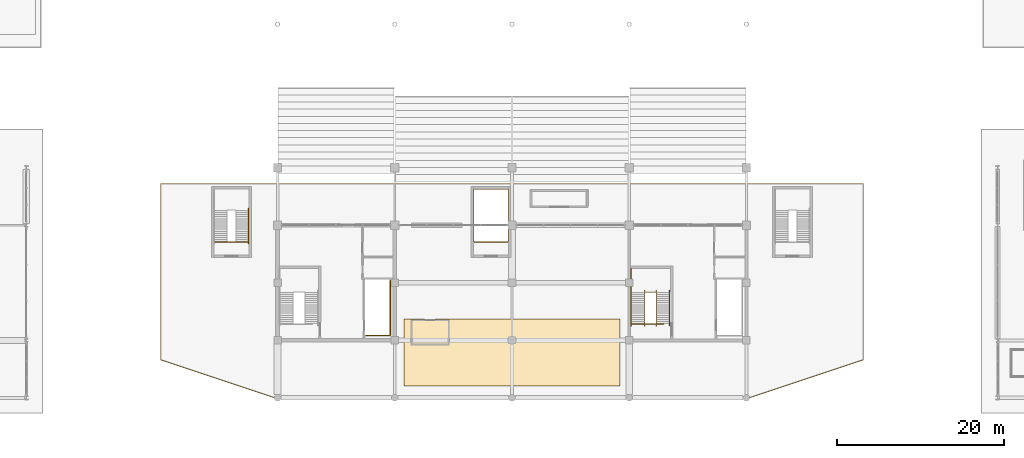
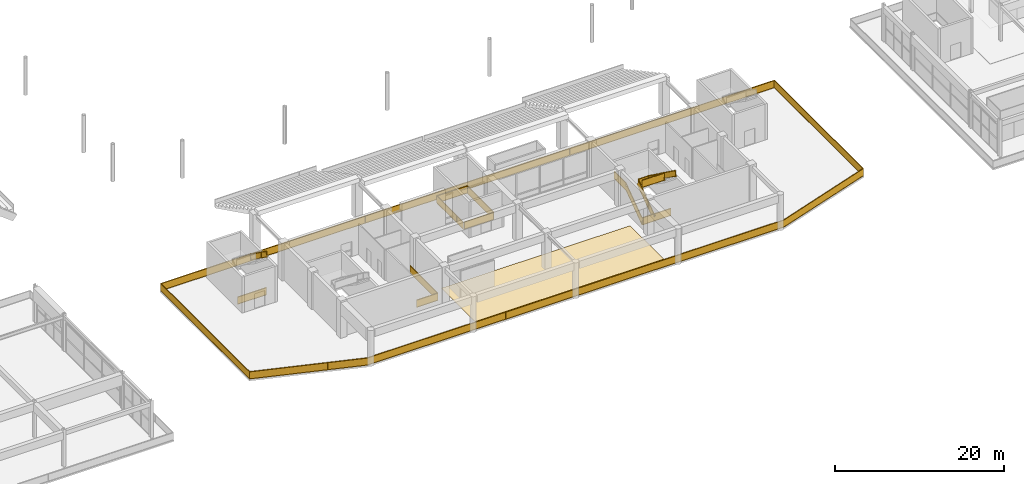
# One storey, part 105 of 117: 10 railings, 1 covering.
"""IFC4 building model written with IfcOpenShell, lengths in metres."""

from ifc_helpers import new_model, si_unit, direction, frame, origin, origin_2d, place, context, subcontext, project, spatial, polyline, rectangle, outline, extrude, material, layer, layer_set, type_object, element, save


model = new_model("IFC4")

# Units and contexts
model_context = context("Model", 3, precision=1e-05, world=origin(), true_north=direction((0.0, 1.0)))
body_context = subcontext(model_context, "Body", "Model", "MODEL_VIEW")
ifc_project = project(units=[si_unit("LENGTHUNIT", "METRE"), si_unit("AREAUNIT", "SQUARE_METRE"), si_unit("VOLUMEUNIT", "CUBIC_METRE"), si_unit("PLANEANGLEUNIT", "RADIAN"), si_unit("MASSUNIT", "GRAM", prefix="KILO")], contexts=[model_context])

# Site, building, storey
site_placement = place(None, origin())
site = spatial("IfcSite", under=ifc_project, at=site_placement, CompositionType="ELEMENT")
building_placement = place(site_placement, origin())
building = spatial("IfcBuilding", under=site, at=building_placement, Name="Linyun Crest Stadium", CompositionType="ELEMENT")
storey_placement = place(building_placement, frame((0.0, 0.0, 6.0)))
storey = spatial("IfcBuildingStorey", under=building, at=storey_placement, Name="L02", CompositionType="ELEMENT", Elevation=6.0)

# Covering
ifc_material_1 = material(Name="Terrazzo concourse and hospitality floor finish")
ifc_layer = layer(ifc_material_1, 0.02197265625)
ifc_layer_set = layer_set([ifc_layer], Name="Terrazzo concourse and hospitality floor finish")
covering_type = type_object("IfcCoveringType", Name="FLR02", PredefinedType="FLOORING", material=ifc_layer_set)
covering_placement = place(storey_placement, origin())
element("IfcCovering", 1, at=covering_placement, inside=storey, type_object=covering_type, Name="Terrazzo flooring FLR02 27", PredefinedType="FLOORING", context=body_context, shape_type="SweptSolid", body=[
    extrude(outline(polyline([(-12.89990234375, -92.699951171875), (12.89990234375, -92.699951171875), (12.89990234375, -84.699951171875), (-12.89990234375, -84.699951171875), (-12.89990234375, -92.699951171875)])), origin(), (0.0, 0.0, 1.0), 0.02197265625),
])

# Railings
ifc_material_2 = material(Name="Galvanized and powder-coated steel bowl safety barrier", Category="steel")
railing_type_1 = type_object("IfcRailingType", Name="GR02", PredefinedType="GUARDRAIL", material=ifc_material_2)
railing_1_placement = place(storey_placement, frame((-41.93994140625, -89.58203125, 0.0)))
element("IfcRailing", 2, at=railing_1_placement, inside=storey, type_object=railing_type_1, Name="Slab edge balustrade GR02 253", PredefinedType="GUARDRAIL", context=body_context, shape_type="SweptSolid", body=[
    extrude(rectangle(XDim=0.06005859375, YDim=0.06005859375, at=origin_2d()), frame((0.0, 0.0, 1.090087890625), z_axis=(0.0, 1.0, 0.0), x_axis=(-1.0, 0.0, 0.0)), (0.0, 0.0, 1.0), 21.02197265625),
    extrude(rectangle(XDim=0.030029296875, YDim=1.0, at=origin_2d()), frame((0.0, 0.0, 0.56005859375), z_axis=(0.0, 1.0, 0.0), x_axis=(-1.0, 0.0, 0.0)), (0.0, 0.0, 1.0), 21.02197265625),
    extrude(rectangle(XDim=0.06005859375, YDim=0.06005859375, at=origin_2d()), frame((0.0, 0.0, 0.030029296875), z_axis=(0.0, 1.0, 0.0), x_axis=(-1.0, 0.0, 0.0)), (0.0, 0.0, 1.0), 21.02197265625),
    extrude(rectangle(XDim=0.06005859375, YDim=0.06005859375, at=origin_2d()), frame((0.0, 21.02197265625, 1.090087890625), z_axis=(1.0, 0.0, 0.0), x_axis=(0.0, 1.0, 0.0)), (0.0, 0.0, 1.0), 83.8798828125),
    extrude(rectangle(XDim=0.030029296875, YDim=1.0, at=origin_2d()), frame((0.0, 21.02197265625, 0.56005859375), z_axis=(1.0, 0.0, 0.0), x_axis=(0.0, 1.0, 0.0)), (0.0, 0.0, 1.0), 83.8798828125),
    extrude(rectangle(XDim=0.06005859375, YDim=0.06005859375, at=origin_2d()), frame((0.0, 21.02197265625, 0.030029296875), z_axis=(1.0, 0.0, 0.0), x_axis=(0.0, 1.0, 0.0)), (0.0, 0.0, 1.0), 83.8798828125),
    extrude(rectangle(XDim=0.06005859375, YDim=0.06005859375, at=origin_2d()), frame((83.8798828125, 21.02197265625, 1.090087890625), z_axis=(0.0, -1.0, 0.0), x_axis=(1.0, 0.0, 0.0)), (0.0, 0.0, 1.0), 21.02197265625),
    extrude(rectangle(XDim=0.030029296875, YDim=1.0, at=origin_2d()), frame((83.8798828125, 21.02197265625, 0.56005859375), z_axis=(0.0, -1.0, 0.0), x_axis=(1.0, 0.0, 0.0)), (0.0, 0.0, 1.0), 21.02197265625),
    extrude(rectangle(XDim=0.06005859375, YDim=0.06005859375, at=origin_2d()), frame((83.8798828125, 21.02197265625, 0.030029296875), z_axis=(0.0, -1.0, 0.0), x_axis=(1.0, 0.0, 0.0)), (0.0, 0.0, 1.0), 21.02197265625),
    extrude(rectangle(XDim=0.06005859375, YDim=0.06005859375, at=origin_2d()), frame((83.8798828125, 0.0, 1.090087890625), z_axis=(-0.948691907925, -0.316201935222, 0.0), x_axis=(0.316201935222, -0.948691907925, 0.0)), (0.0, 0.0, 1.0), 14.17724609375),
    extrude(rectangle(XDim=0.030029296875, YDim=1.0, at=origin_2d()), frame((83.8798828125, 0.0, 0.56005859375), z_axis=(-0.948691907925, -0.316201935222, 0.0), x_axis=(0.316201935222, -0.948691907925, 0.0)), (0.0, 0.0, 1.0), 14.17724609375),
    extrude(rectangle(XDim=0.06005859375, YDim=0.06005859375, at=origin_2d()), frame((83.8798828125, 0.0, 0.030029296875), z_axis=(-0.948691907925, -0.316201935222, 0.0), x_axis=(0.316201935222, -0.948691907925, 0.0)), (0.0, 0.0, 1.0), 14.17724609375),
    extrude(rectangle(XDim=0.06005859375, YDim=0.06005859375, at=origin_2d()), frame((70.429931640625, -4.48291015625, 1.090087890625), z_axis=(-1.0, 0.0, 0.0), x_axis=(0.0, -1.0, 0.0)), (0.0, 0.0, 1.0), 56.97998046875),
    extrude(rectangle(XDim=0.030029296875, YDim=1.0, at=origin_2d()), frame((70.429931640625, -4.48291015625, 0.56005859375), z_axis=(-1.0, 0.0, 0.0), x_axis=(0.0, -1.0, 0.0)), (0.0, 0.0, 1.0), 56.97998046875),
    extrude(rectangle(XDim=0.06005859375, YDim=0.06005859375, at=origin_2d()), frame((70.429931640625, -4.48291015625, 0.030029296875), z_axis=(-1.0, 0.0, 0.0), x_axis=(0.0, -1.0, 0.0)), (0.0, 0.0, 1.0), 56.97998046875),
    extrude(rectangle(XDim=0.06005859375, YDim=0.06005859375, at=origin_2d()), frame((13.449951171875, -4.48291015625, 1.090087890625), z_axis=(-0.948691907925, 0.316201935222, 0.0), x_axis=(-0.316201935222, -0.948691907925, 0.0)), (0.0, 0.0, 1.0), 14.17724609375),
    extrude(rectangle(XDim=0.030029296875, YDim=1.0, at=origin_2d()), frame((13.449951171875, -4.48291015625, 0.56005859375), z_axis=(-0.948691907925, 0.316201935222, 0.0), x_axis=(-0.316201935222, -0.948691907925, 0.0)), (0.0, 0.0, 1.0), 14.17724609375),
    extrude(rectangle(XDim=0.06005859375, YDim=0.06005859375, at=origin_2d()), frame((13.449951171875, -4.48291015625, 0.030029296875), z_axis=(-0.948691907925, 0.316201935222, 0.0), x_axis=(-0.316201935222, -0.948691907925, 0.0)), (0.0, 0.0, 1.0), 14.17724609375),
    extrude(rectangle(XDim=0.050048828125, YDim=0.050048828125, at=origin_2d()), origin(), (0.0, 0.0, 1.0), 1.1201171875),
    extrude(rectangle(XDim=0.050048828125, YDim=0.050048828125, at=origin_2d()), frame((0.0, 4.204345703125, 0.0)), (0.0, 0.0, 1.0), 1.1201171875),
    extrude(rectangle(XDim=0.050048828125, YDim=0.050048828125, at=origin_2d()), frame((0.0, 8.40869140625, 0.0)), (0.0, 0.0, 1.0), 1.1201171875),
    extrude(rectangle(XDim=0.050048828125, YDim=0.050048828125, at=origin_2d()), frame((0.0, 12.61328125, 0.0)), (0.0, 0.0, 1.0), 1.1201171875),
    extrude(rectangle(XDim=0.050048828125, YDim=0.050048828125, at=origin_2d()), frame((0.0, 16.817626953125, 0.0)), (0.0, 0.0, 1.0), 1.1201171875),
    extrude(rectangle(XDim=0.050048828125, YDim=0.050048828125, at=origin_2d()), frame((0.0, 21.02197265625, 0.0)), (0.0, 0.0, 1.0), 1.1201171875),
    extrude(rectangle(XDim=0.050048828125, YDim=0.050048828125, at=origin_2d()), frame((4.659912109375, 21.02197265625, 0.0)), (0.0, 0.0, 1.0), 1.1201171875),
    extrude(rectangle(XDim=0.050048828125, YDim=0.050048828125, at=origin_2d()), frame((9.320068359375, 21.02197265625, 0.0)), (0.0, 0.0, 1.0), 1.1201171875),
    extrude(rectangle(XDim=0.050048828125, YDim=0.050048828125, at=origin_2d()), frame((13.97998046875, 21.02197265625, 0.0)), (0.0, 0.0, 1.0), 1.1201171875),
    extrude(rectangle(XDim=0.050048828125, YDim=0.050048828125, at=origin_2d()), frame((18.639892578125, 21.02197265625, 0.0)), (0.0, 0.0, 1.0), 1.1201171875),
    extrude(rectangle(XDim=0.050048828125, YDim=0.050048828125, at=origin_2d()), frame((23.300048828125, 21.02197265625, 0.0)), (0.0, 0.0, 1.0), 1.1201171875),
    extrude(rectangle(XDim=0.050048828125, YDim=0.050048828125, at=origin_2d()), frame((27.9599609375, 21.02197265625, 0.0)), (0.0, 0.0, 1.0), 1.1201171875),
    extrude(rectangle(XDim=0.050048828125, YDim=0.050048828125, at=origin_2d()), frame((32.619873046875, 21.02197265625, 0.0)), (0.0, 0.0, 1.0), 1.1201171875),
    extrude(rectangle(XDim=0.050048828125, YDim=0.050048828125, at=origin_2d()), frame((37.280029296875, 21.02197265625, 0.0)), (0.0, 0.0, 1.0), 1.1201171875),
    extrude(rectangle(XDim=0.050048828125, YDim=0.050048828125, at=origin_2d()), frame((41.93994140625, 21.02197265625, 0.0)), (0.0, 0.0, 1.0), 1.1201171875),
    extrude(rectangle(XDim=0.050048828125, YDim=0.050048828125, at=origin_2d()), frame((46.599853515625, 21.02197265625, 0.0)), (0.0, 0.0, 1.0), 1.1201171875),
    extrude(rectangle(XDim=0.050048828125, YDim=0.050048828125, at=origin_2d()), frame((51.260009765625, 21.02197265625, 0.0)), (0.0, 0.0, 1.0), 1.1201171875),
    extrude(rectangle(XDim=0.050048828125, YDim=0.050048828125, at=origin_2d()), frame((55.919921875, 21.02197265625, 0.0)), (0.0, 0.0, 1.0), 1.1201171875),
    extrude(rectangle(XDim=0.050048828125, YDim=0.050048828125, at=origin_2d()), frame((60.579833984375, 21.02197265625, 0.0)), (0.0, 0.0, 1.0), 1.1201171875),
    extrude(rectangle(XDim=0.050048828125, YDim=0.050048828125, at=origin_2d()), frame((65.239990234375, 21.02197265625, 0.0)), (0.0, 0.0, 1.0), 1.1201171875),
    extrude(rectangle(XDim=0.050048828125, YDim=0.050048828125, at=origin_2d()), frame((69.89990234375, 21.02197265625, 0.0)), (0.0, 0.0, 1.0), 1.1201171875),
    extrude(rectangle(XDim=0.050048828125, YDim=0.050048828125, at=origin_2d()), frame((74.559814453125, 21.02197265625, 0.0)), (0.0, 0.0, 1.0), 1.1201171875),
    extrude(rectangle(XDim=0.050048828125, YDim=0.050048828125, at=origin_2d()), frame((79.219970703125, 21.02197265625, 0.0)), (0.0, 0.0, 1.0), 1.1201171875),
    extrude(rectangle(XDim=0.050048828125, YDim=0.050048828125, at=origin_2d()), frame((83.8798828125, 21.02197265625, 0.0)), (0.0, 0.0, 1.0), 1.1201171875),
    extrude(rectangle(XDim=0.050048828125, YDim=0.050048828125, at=origin_2d()), frame((83.8798828125, 16.817626953125, 0.0)), (0.0, 0.0, 1.0), 1.1201171875),
    extrude(rectangle(XDim=0.050048828125, YDim=0.050048828125, at=origin_2d()), frame((83.8798828125, 12.61328125, 0.0)), (0.0, 0.0, 1.0), 1.1201171875),
    extrude(rectangle(XDim=0.050048828125, YDim=0.050048828125, at=origin_2d()), frame((83.8798828125, 8.40869140625, 0.0)), (0.0, 0.0, 1.0), 1.1201171875),
    extrude(rectangle(XDim=0.050048828125, YDim=0.050048828125, at=origin_2d()), frame((83.8798828125, 4.204345703125, 0.0)), (0.0, 0.0, 1.0), 1.1201171875),
    extrude(rectangle(XDim=0.050048828125, YDim=0.050048828125, at=origin_2d()), frame((83.8798828125, 0.0, 0.0)), (0.0, 0.0, 1.0), 1.1201171875),
    extrude(rectangle(XDim=0.050048828125, YDim=0.050048828125, at=origin_2d()), frame((79.396484375, -1.494384765625, 0.0)), (0.0, 0.0, 1.0), 1.1201171875),
    extrude(rectangle(XDim=0.050048828125, YDim=0.050048828125, at=origin_2d()), frame((74.913330078125, -2.988525390625, 0.0)), (0.0, 0.0, 1.0), 1.1201171875),
    extrude(rectangle(XDim=0.050048828125, YDim=0.050048828125, at=origin_2d()), frame((70.429931640625, -4.48291015625, 0.0)), (0.0, 0.0, 1.0), 1.1201171875),
    extrude(rectangle(XDim=0.050048828125, YDim=0.050048828125, at=origin_2d()), frame((65.681640625, -4.48291015625, 0.0)), (0.0, 0.0, 1.0), 1.1201171875),
    extrude(rectangle(XDim=0.050048828125, YDim=0.050048828125, at=origin_2d()), frame((60.933349609375, -4.48291015625, 0.0)), (0.0, 0.0, 1.0), 1.1201171875),
    extrude(rectangle(XDim=0.050048828125, YDim=0.050048828125, at=origin_2d()), frame((56.18505859375, -4.48291015625, 0.0)), (0.0, 0.0, 1.0), 1.1201171875),
    extrude(rectangle(XDim=0.050048828125, YDim=0.050048828125, at=origin_2d()), frame((51.4365234375, -4.48291015625, 0.0)), (0.0, 0.0, 1.0), 1.1201171875),
    extrude(rectangle(XDim=0.050048828125, YDim=0.050048828125, at=origin_2d()), frame((46.688232421875, -4.48291015625, 0.0)), (0.0, 0.0, 1.0), 1.1201171875),
    extrude(rectangle(XDim=0.050048828125, YDim=0.050048828125, at=origin_2d()), frame((41.93994140625, -4.48291015625, 0.0)), (0.0, 0.0, 1.0), 1.1201171875),
    extrude(rectangle(XDim=0.050048828125, YDim=0.050048828125, at=origin_2d()), frame((37.191650390625, -4.48291015625, 0.0)), (0.0, 0.0, 1.0), 1.1201171875),
    extrude(rectangle(XDim=0.050048828125, YDim=0.050048828125, at=origin_2d()), frame((32.443359375, -4.48291015625, 0.0)), (0.0, 0.0, 1.0), 1.1201171875),
    extrude(rectangle(XDim=0.050048828125, YDim=0.050048828125, at=origin_2d()), frame((27.69482421875, -4.48291015625, 0.0)), (0.0, 0.0, 1.0), 1.1201171875),
    extrude(rectangle(XDim=0.050048828125, YDim=0.050048828125, at=origin_2d()), frame((22.946533203125, -4.48291015625, 0.0)), (0.0, 0.0, 1.0), 1.1201171875),
    extrude(rectangle(XDim=0.050048828125, YDim=0.050048828125, at=origin_2d()), frame((18.1982421875, -4.48291015625, 0.0)), (0.0, 0.0, 1.0), 1.1201171875),
    extrude(rectangle(XDim=0.050048828125, YDim=0.050048828125, at=origin_2d()), frame((13.449951171875, -4.48291015625, 0.0)), (0.0, 0.0, 1.0), 1.1201171875),
    extrude(rectangle(XDim=0.050048828125, YDim=0.050048828125, at=origin_2d()), frame((8.966552734375, -2.988525390625, 0.0)), (0.0, 0.0, 1.0), 1.1201171875),
    extrude(rectangle(XDim=0.050048828125, YDim=0.050048828125, at=origin_2d()), frame((4.4833984375, -1.494384765625, 0.0)), (0.0, 0.0, 1.0), 1.1201171875),
])
railing_2_placement = place(storey_placement, frame((14.31494140625, -85.2900390625, 0.0)))
element("IfcRailing", 3, at=railing_2_placement, inside=storey, type_object=railing_type_1, Name="Slab edge balustrade GR02 256", PredefinedType="GUARDRAIL", context=body_context, shape_type="SweptSolid", body=[
    extrude(rectangle(XDim=0.06005859375, YDim=0.06005859375, at=origin_2d()), frame((0.0, 0.0, 1.090087890625), z_axis=(1.0, 0.0, 0.0), x_axis=(0.0, 1.0, 0.0)), (0.0, 0.0, 1.0), 3.78515625),
    extrude(rectangle(XDim=0.030029296875, YDim=1.0, at=origin_2d()), frame((0.0, 0.0, 0.56005859375), z_axis=(1.0, 0.0, 0.0), x_axis=(0.0, 1.0, 0.0)), (0.0, 0.0, 1.0), 3.78515625),
    extrude(rectangle(XDim=0.06005859375, YDim=0.06005859375, at=origin_2d()), frame((0.0, 0.0, 0.030029296875), z_axis=(1.0, 0.0, 0.0), x_axis=(0.0, 1.0, 0.0)), (0.0, 0.0, 1.0), 3.78515625),
    extrude(rectangle(XDim=0.050048828125, YDim=0.050048828125, at=origin_2d()), origin(), (0.0, 0.0, 1.0), 1.1201171875),
    extrude(rectangle(XDim=0.050048828125, YDim=0.050048828125, at=origin_2d()), frame((3.78515625, 0.0, 0.0)), (0.0, 0.0, 1.0), 1.1201171875),
])
railing_3_placement = place(storey_placement, frame((-4.4599609375, -75.510009765625, 0.0)))
element("IfcRailing", 4, at=railing_3_placement, inside=storey, type_object=railing_type_1, Name="Slab edge balustrade GR02 257", PredefinedType="GUARDRAIL", context=body_context, shape_type="SweptSolid", body=[
    extrude(rectangle(XDim=0.06005859375, YDim=0.06005859375, at=origin_2d()), frame((0.0, 0.0, 1.090087890625), z_axis=(1.0, 0.0, 0.0), x_axis=(0.0, 1.0, 0.0)), (0.0, 0.0, 1.0), 3.919921875),
    extrude(rectangle(XDim=0.030029296875, YDim=1.0, at=origin_2d()), frame((0.0, 0.0, 0.56005859375), z_axis=(1.0, 0.0, 0.0), x_axis=(0.0, 1.0, 0.0)), (0.0, 0.0, 1.0), 3.919921875),
    extrude(rectangle(XDim=0.06005859375, YDim=0.06005859375, at=origin_2d()), frame((0.0, 0.0, 0.030029296875), z_axis=(1.0, 0.0, 0.0), x_axis=(0.0, 1.0, 0.0)), (0.0, 0.0, 1.0), 3.919921875),
    extrude(rectangle(XDim=0.050048828125, YDim=0.050048828125, at=origin_2d()), origin(), (0.0, 0.0, 1.0), 1.1201171875),
    extrude(rectangle(XDim=0.050048828125, YDim=0.050048828125, at=origin_2d()), frame((3.919921875, 0.0, 0.0)), (0.0, 0.0, 1.0), 1.1201171875),
])
railing_4_placement = place(storey_placement, frame((-17.419921875, -86.659912109375, 0.0)))
element("IfcRailing", 5, at=railing_4_placement, inside=storey, type_object=railing_type_1, Name="Slab edge balustrade GR02 258", PredefinedType="GUARDRAIL", context=body_context, shape_type="SweptSolid", body=[
    extrude(rectangle(XDim=0.06005859375, YDim=0.06005859375, at=origin_2d()), frame((0.0, 0.0, 1.090087890625), z_axis=(1.0, 0.0, 0.0), x_axis=(0.0, 1.0, 0.0)), (0.0, 0.0, 1.0), 2.8798828125),
    extrude(rectangle(XDim=0.030029296875, YDim=1.0, at=origin_2d()), frame((0.0, 0.0, 0.56005859375), z_axis=(1.0, 0.0, 0.0), x_axis=(0.0, 1.0, 0.0)), (0.0, 0.0, 1.0), 2.8798828125),
    extrude(rectangle(XDim=0.06005859375, YDim=0.06005859375, at=origin_2d()), frame((0.0, 0.0, 0.030029296875), z_axis=(1.0, 0.0, 0.0), x_axis=(0.0, 1.0, 0.0)), (0.0, 0.0, 1.0), 2.8798828125),
    extrude(rectangle(XDim=0.06005859375, YDim=0.06005859375, at=origin_2d()), frame((2.8798828125, 0.0, 1.090087890625), z_axis=(0.0, 1.0, 0.0), x_axis=(-1.0, 0.0, 0.0)), (0.0, 0.0, 1.0), 6.5498046875),
    extrude(rectangle(XDim=0.030029296875, YDim=1.0, at=origin_2d()), frame((2.8798828125, 0.0, 0.56005859375), z_axis=(0.0, 1.0, 0.0), x_axis=(-1.0, 0.0, 0.0)), (0.0, 0.0, 1.0), 6.5498046875),
    extrude(rectangle(XDim=0.06005859375, YDim=0.06005859375, at=origin_2d()), frame((2.8798828125, 0.0, 0.030029296875), z_axis=(0.0, 1.0, 0.0), x_axis=(-1.0, 0.0, 0.0)), (0.0, 0.0, 1.0), 6.5498046875),
    extrude(rectangle(XDim=0.050048828125, YDim=0.050048828125, at=origin_2d()), origin(), (0.0, 0.0, 1.0), 1.1201171875),
    extrude(rectangle(XDim=0.050048828125, YDim=0.050048828125, at=origin_2d()), frame((2.8798828125, 0.0, 0.0)), (0.0, 0.0, 1.0), 1.1201171875),
    extrude(rectangle(XDim=0.050048828125, YDim=0.050048828125, at=origin_2d()), frame((2.8798828125, 3.27490234375, 0.0)), (0.0, 0.0, 1.0), 1.1201171875),
    extrude(rectangle(XDim=0.050048828125, YDim=0.050048828125, at=origin_2d()), frame((2.8798828125, 6.5498046875, 0.0)), (0.0, 0.0, 1.0), 1.1201171875),
])
railing_5_placement = place(storey_placement, frame((-35.4599609375, -75.510009765625, 0.0)))
element("IfcRailing", 6, at=railing_5_placement, inside=storey, type_object=railing_type_1, Name="Slab edge balustrade GR02 260", PredefinedType="GUARDRAIL", context=body_context, shape_type="SweptSolid", body=[
    extrude(rectangle(XDim=0.06005859375, YDim=0.06005859375, at=origin_2d()), frame((0.0, 0.0, 1.090087890625), z_axis=(1.0, 0.0, 0.0), x_axis=(0.0, 1.0, 0.0)), (0.0, 0.0, 1.0), 3.919921875),
    extrude(rectangle(XDim=0.030029296875, YDim=1.0, at=origin_2d()), frame((0.0, 0.0, 0.56005859375), z_axis=(1.0, 0.0, 0.0), x_axis=(0.0, 1.0, 0.0)), (0.0, 0.0, 1.0), 3.919921875),
    extrude(rectangle(XDim=0.06005859375, YDim=0.06005859375, at=origin_2d()), frame((0.0, 0.0, 0.030029296875), z_axis=(1.0, 0.0, 0.0), x_axis=(0.0, 1.0, 0.0)), (0.0, 0.0, 1.0), 3.919921875),
    extrude(rectangle(XDim=0.050048828125, YDim=0.050048828125, at=origin_2d()), origin(), (0.0, 0.0, 1.0), 1.1201171875),
    extrude(rectangle(XDim=0.050048828125, YDim=0.050048828125, at=origin_2d()), frame((3.919921875, 0.0, 0.0)), (0.0, 0.0, 1.0), 1.1201171875),
])
ifc_material_3 = material(Name="Painted steel stairwell safety guard", Category="steel")
railing_type_2 = type_object("IfcRailingType", Name="GR03", PredefinedType="GUARDRAIL", material=ifc_material_3)
railing_6_placement = place(storey_placement, frame((14.205078125, -85.260009765625, 0.0)))
element("IfcRailing", 7, at=railing_6_placement, inside=storey, type_object=railing_type_2, Name="STR-10-L02 outer guard", PredefinedType="GUARDRAIL", context=body_context, shape_type="SweptSolid", body=[
    extrude(rectangle(XDim=0.06005859375, YDim=0.06005859375, at=origin_2d()), frame((0.0, 0.0, 1.090087890625), z_axis=(0.0, 0.811539352079, 0.584297766578), x_axis=(-1.0, 0.0, 0.0)), (0.0, 0.0, 1.0), 4.620849609375),
    extrude(rectangle(XDim=0.030029296875, YDim=1.0, at=origin_2d()), frame((0.0, 0.0, 0.56005859375), z_axis=(0.0, 0.811539352079, 0.584297766578), x_axis=(-1.0, 0.0, 0.0)), (0.0, 0.0, 1.0), 4.620849609375),
    extrude(rectangle(XDim=0.06005859375, YDim=0.06005859375, at=origin_2d()), frame((0.0, 0.0, 0.030029296875), z_axis=(0.0, 0.811539352079, 0.584297766578), x_axis=(-1.0, 0.0, 0.0)), (0.0, 0.0, 1.0), 4.620849609375),
    extrude(rectangle(XDim=0.06005859375, YDim=0.06005859375, at=origin_2d()), frame((0.0, 3.75, 3.7900390625), z_axis=(0.0, 1.0, 0.0), x_axis=(-1.0, 0.0, 0.0)), (0.0, 0.0, 1.0), 2.830078125),
    extrude(rectangle(XDim=0.030029296875, YDim=1.0, at=origin_2d()), frame((0.0, 3.75, 3.260009765625), z_axis=(0.0, 1.0, 0.0), x_axis=(-1.0, 0.0, 0.0)), (0.0, 0.0, 1.0), 2.830078125),
    extrude(rectangle(XDim=0.06005859375, YDim=0.06005859375, at=origin_2d()), frame((0.0, 3.75, 2.72998046875), z_axis=(0.0, 1.0, 0.0), x_axis=(-1.0, 0.0, 0.0)), (0.0, 0.0, 1.0), 2.830078125),
    extrude(rectangle(XDim=0.050048828125, YDim=0.050048828125, at=origin_2d()), origin(), (0.0, 0.0, 1.0), 1.1201171875),
    extrude(rectangle(XDim=0.050048828125, YDim=0.050048828125, at=origin_2d()), frame((0.0, 1.25, 0.89990234375)), (0.0, 0.0, 1.0), 1.1201171875),
    extrude(rectangle(XDim=0.050048828125, YDim=0.050048828125, at=origin_2d()), frame((0.0, 2.5, 1.800048828125)), (0.0, 0.0, 1.0), 1.1201171875),
    extrude(rectangle(XDim=0.050048828125, YDim=0.050048828125, at=origin_2d()), frame((0.0, 3.75, 2.699951171875)), (0.0, 0.0, 1.0), 1.1201171875),
    extrude(rectangle(XDim=0.050048828125, YDim=0.050048828125, at=origin_2d()), frame((0.0, 5.1650390625, 2.699951171875)), (0.0, 0.0, 1.0), 1.1201171875),
    extrude(rectangle(XDim=0.050048828125, YDim=0.050048828125, at=origin_2d()), frame((0.0, 6.580078125, 2.699951171875)), (0.0, 0.0, 1.0), 1.1201171875),
])
railing_7_placement = place(storey_placement, frame((15.844970703125, -85.280029296875, 0.0)))
element("IfcRailing", 8, at=railing_7_placement, inside=storey, type_object=railing_type_2, Name="STR-10-L02 inner well guard", PredefinedType="GUARDRAIL", context=body_context, shape_type="SweptSolid", body=[
    extrude(rectangle(XDim=0.06005859375, YDim=0.06005859375, at=origin_2d()), frame((0.0, 0.0, 1.090087890625), z_axis=(0.0, 0.813010693788, 0.582248754216), x_axis=(-1.0, 0.0, 0.0)), (0.0, 0.0, 1.0), 4.63720703125),
    extrude(rectangle(XDim=0.030029296875, YDim=1.0, at=origin_2d()), frame((0.0, 0.0, 0.56005859375), z_axis=(0.0, 0.813010693788, 0.582248754216), x_axis=(-1.0, 0.0, 0.0)), (0.0, 0.0, 1.0), 4.63720703125),
    extrude(rectangle(XDim=0.06005859375, YDim=0.06005859375, at=origin_2d()), frame((0.0, 0.0, 0.030029296875), z_axis=(0.0, 0.813010693788, 0.582248754216), x_axis=(-1.0, 0.0, 0.0)), (0.0, 0.0, 1.0), 4.63720703125),
    extrude(rectangle(XDim=0.06005859375, YDim=0.06005859375, at=origin_2d()), frame((0.0, 3.77001953125, 3.7900390625), z_axis=(1.0, 0.0, 0.0), x_axis=(0.0, 1.0, 0.0)), (0.0, 0.0, 1.0), 1.385009765625),
    extrude(rectangle(XDim=0.030029296875, YDim=1.0, at=origin_2d()), frame((0.0, 3.77001953125, 3.260009765625), z_axis=(1.0, 0.0, 0.0), x_axis=(0.0, 1.0, 0.0)), (0.0, 0.0, 1.0), 1.385009765625),
    extrude(rectangle(XDim=0.06005859375, YDim=0.06005859375, at=origin_2d()), frame((0.0, 3.77001953125, 2.72998046875), z_axis=(1.0, 0.0, 0.0), x_axis=(0.0, 1.0, 0.0)), (0.0, 0.0, 1.0), 1.385009765625),
    extrude(rectangle(XDim=0.06005859375, YDim=0.06005859375, at=origin_2d()), frame((1.385009765625, 3.77001953125, 3.7900390625), z_axis=(0.0, -0.813010693788, 0.582248754216), x_axis=(1.0, 0.0, 0.0)), (0.0, 0.0, 1.0), 4.63720703125),
    extrude(rectangle(XDim=0.030029296875, YDim=1.0, at=origin_2d()), frame((1.385009765625, 3.77001953125, 3.260009765625), z_axis=(0.0, -0.813010693788, 0.582248754216), x_axis=(1.0, 0.0, 0.0)), (0.0, 0.0, 1.0), 4.63720703125),
    extrude(rectangle(XDim=0.06005859375, YDim=0.06005859375, at=origin_2d()), frame((1.385009765625, 3.77001953125, 2.72998046875), z_axis=(0.0, -0.813010693788, 0.582248754216), x_axis=(1.0, 0.0, 0.0)), (0.0, 0.0, 1.0), 4.63720703125),
    extrude(rectangle(XDim=0.06005859375, YDim=0.06005859375, at=origin_2d()), frame((1.385009765625, 0.0, 6.489990234375), z_axis=(-1.0, 0.0, 0.0), x_axis=(0.0, -1.0, 0.0)), (0.0, 0.0, 1.0), 3.034912109375),
    extrude(rectangle(XDim=0.030029296875, YDim=1.0, at=origin_2d()), frame((1.385009765625, 0.0, 5.9599609375), z_axis=(-1.0, 0.0, 0.0), x_axis=(0.0, -1.0, 0.0)), (0.0, 0.0, 1.0), 3.034912109375),
    extrude(rectangle(XDim=0.06005859375, YDim=0.06005859375, at=origin_2d()), frame((1.385009765625, 0.0, 5.429931640625), z_axis=(-1.0, 0.0, 0.0), x_axis=(0.0, -1.0, 0.0)), (0.0, 0.0, 1.0), 3.034912109375),
    extrude(rectangle(XDim=0.050048828125, YDim=0.050048828125, at=origin_2d()), origin(), (0.0, 0.0, 1.0), 1.1201171875),
    extrude(rectangle(XDim=0.050048828125, YDim=0.050048828125, at=origin_2d()), frame((0.0, 1.256591796875, 0.89990234375)), (0.0, 0.0, 1.0), 1.1201171875),
    extrude(rectangle(XDim=0.050048828125, YDim=0.050048828125, at=origin_2d()), frame((0.0, 2.513427734375, 1.800048828125)), (0.0, 0.0, 1.0), 1.1201171875),
    extrude(rectangle(XDim=0.050048828125, YDim=0.050048828125, at=origin_2d()), frame((0.0, 3.77001953125, 2.699951171875)), (0.0, 0.0, 1.0), 1.1201171875),
    extrude(rectangle(XDim=0.050048828125, YDim=0.050048828125, at=origin_2d()), frame((1.385009765625, 3.77001953125, 2.699951171875)), (0.0, 0.0, 1.0), 1.1201171875),
    extrude(rectangle(XDim=0.050048828125, YDim=0.050048828125, at=origin_2d()), frame((1.385009765625, 2.513427734375, 3.599853515625)), (0.0, 0.0, 1.0), 1.1201171875),
    extrude(rectangle(XDim=0.050048828125, YDim=0.050048828125, at=origin_2d()), frame((1.385009765625, 1.256591796875, 4.5)), (0.0, 0.0, 1.0), 1.1201171875),
    extrude(rectangle(XDim=0.050048828125, YDim=0.050048828125, at=origin_2d()), frame((1.385009765625, 0.0, 5.39990234375)), (0.0, 0.0, 1.0), 1.1201171875),
    extrude(rectangle(XDim=0.050048828125, YDim=0.050048828125, at=origin_2d()), frame((-0.13232421875, 0.0, 5.39990234375)), (0.0, 0.0, 1.0), 1.1201171875),
    extrude(rectangle(XDim=0.050048828125, YDim=0.050048828125, at=origin_2d()), frame((-1.64990234375, 0.0, 5.39990234375)), (0.0, 0.0, 1.0), 1.1201171875),
])
railing_8_placement = place(storey_placement, frame((-4.570068359375, -75.469970703125, 0.0)))
element("IfcRailing", 9, at=railing_8_placement, inside=storey, type_object=railing_type_2, Name="STR-28-L01 top well guard", PredefinedType="GUARDRAIL", context=body_context, shape_type="SweptSolid", body=[
    extrude(rectangle(XDim=0.06005859375, YDim=0.06005859375, at=origin_2d()), frame((0.0, 0.0, 1.090087890625), z_axis=(0.0, 1.0, 0.0), x_axis=(-1.0, 0.0, 0.0)), (0.0, 0.0, 1.0), 6.239990234375),
    extrude(rectangle(XDim=0.030029296875, YDim=1.0, at=origin_2d()), frame((0.0, 0.0, 0.56005859375), z_axis=(0.0, 1.0, 0.0), x_axis=(-1.0, 0.0, 0.0)), (0.0, 0.0, 1.0), 6.239990234375),
    extrude(rectangle(XDim=0.06005859375, YDim=0.06005859375, at=origin_2d()), frame((0.0, 0.0, 0.030029296875), z_axis=(0.0, 1.0, 0.0), x_axis=(-1.0, 0.0, 0.0)), (0.0, 0.0, 1.0), 6.239990234375),
    extrude(rectangle(XDim=0.06005859375, YDim=0.06005859375, at=origin_2d()), frame((0.0, 6.239990234375, 1.090087890625), z_axis=(1.0, 0.0, 0.0), x_axis=(0.0, 1.0, 0.0)), (0.0, 0.0, 1.0), 4.14013671875),
    extrude(rectangle(XDim=0.030029296875, YDim=1.0, at=origin_2d()), frame((0.0, 6.239990234375, 0.56005859375), z_axis=(1.0, 0.0, 0.0), x_axis=(0.0, 1.0, 0.0)), (0.0, 0.0, 1.0), 4.14013671875),
    extrude(rectangle(XDim=0.06005859375, YDim=0.06005859375, at=origin_2d()), frame((0.0, 6.239990234375, 0.030029296875), z_axis=(1.0, 0.0, 0.0), x_axis=(0.0, 1.0, 0.0)), (0.0, 0.0, 1.0), 4.14013671875),
    extrude(rectangle(XDim=0.06005859375, YDim=0.06005859375, at=origin_2d()), frame((4.14013671875, 6.239990234375, 1.090087890625), z_axis=(0.0, -1.0, 0.0), x_axis=(1.0, 0.0, 0.0)), (0.0, 0.0, 1.0), 6.239990234375),
    extrude(rectangle(XDim=0.030029296875, YDim=1.0, at=origin_2d()), frame((4.14013671875, 6.239990234375, 0.56005859375), z_axis=(0.0, -1.0, 0.0), x_axis=(1.0, 0.0, 0.0)), (0.0, 0.0, 1.0), 6.239990234375),
    extrude(rectangle(XDim=0.06005859375, YDim=0.06005859375, at=origin_2d()), frame((4.14013671875, 6.239990234375, 0.030029296875), z_axis=(0.0, -1.0, 0.0), x_axis=(1.0, 0.0, 0.0)), (0.0, 0.0, 1.0), 6.239990234375),
    extrude(rectangle(XDim=0.050048828125, YDim=0.050048828125, at=origin_2d()), origin(), (0.0, 0.0, 1.0), 1.1201171875),
    extrude(rectangle(XDim=0.050048828125, YDim=0.050048828125, at=origin_2d()), frame((0.0, 1.56005859375, 0.0)), (0.0, 0.0, 1.0), 1.1201171875),
    extrude(rectangle(XDim=0.050048828125, YDim=0.050048828125, at=origin_2d()), frame((0.0, 3.1201171875, 0.0)), (0.0, 0.0, 1.0), 1.1201171875),
    extrude(rectangle(XDim=0.050048828125, YDim=0.050048828125, at=origin_2d()), frame((0.0, 4.679931640625, 0.0)), (0.0, 0.0, 1.0), 1.1201171875),
    extrude(rectangle(XDim=0.050048828125, YDim=0.050048828125, at=origin_2d()), frame((0.0, 6.239990234375, 0.0)), (0.0, 0.0, 1.0), 1.1201171875),
    extrude(rectangle(XDim=0.050048828125, YDim=0.050048828125, at=origin_2d()), frame((1.380126953125, 6.239990234375, 0.0)), (0.0, 0.0, 1.0), 1.1201171875),
    extrude(rectangle(XDim=0.050048828125, YDim=0.050048828125, at=origin_2d()), frame((2.760009765625, 6.239990234375, 0.0)), (0.0, 0.0, 1.0), 1.1201171875),
    extrude(rectangle(XDim=0.050048828125, YDim=0.050048828125, at=origin_2d()), frame((4.14013671875, 6.239990234375, 0.0)), (0.0, 0.0, 1.0), 1.1201171875),
    extrude(rectangle(XDim=0.050048828125, YDim=0.050048828125, at=origin_2d()), frame((4.14013671875, 4.679931640625, 0.0)), (0.0, 0.0, 1.0), 1.1201171875),
    extrude(rectangle(XDim=0.050048828125, YDim=0.050048828125, at=origin_2d()), frame((4.14013671875, 3.1201171875, 0.0)), (0.0, 0.0, 1.0), 1.1201171875),
    extrude(rectangle(XDim=0.050048828125, YDim=0.050048828125, at=origin_2d()), frame((4.14013671875, 1.56005859375, 0.0)), (0.0, 0.0, 1.0), 1.1201171875),
    extrude(rectangle(XDim=0.050048828125, YDim=0.050048828125, at=origin_2d()), frame((4.14013671875, 0.0, 0.0)), (0.0, 0.0, 1.0), 1.1201171875),
])
ifc_material_4 = material(Name="Brushed stainless steel tubular handrail", Category="steel")
railing_type_3 = type_object("IfcRailingType", Name="HR01", PredefinedType="HANDRAIL", material=ifc_material_4)
for number, where, name in (
    (10, (18.820068359375, -81.510009765625, 2.699951171875), "STR-10-L02 handrail"),
    (11, (-31.47998046875, -71.72998046875, 2.699951171875), "STR-27-L02 handrail"),
):
    element("IfcRailing", number, at=place(storey_placement, frame(where)), inside=storey, type_object=railing_type_3, Name=name, PredefinedType="HANDRAIL", context=body_context, shape_type="SweptSolid", body=[
        extrude(rectangle(XDim=0.06005859375, YDim=0.06005859375, at=origin_2d()), frame((0.0, 0.0, 0.889892578125), z_axis=(0.0, -0.811539352079, 0.584297766578), x_axis=(1.0, 0.0, 0.0)), (0.0, 0.0, 1.0), 4.620849609375),
        extrude(rectangle(XDim=0.030029296875, YDim=0.7998046875, at=origin_2d()), frame((0.0, 0.0, 0.4599609375), z_axis=(0.0, -0.811539352079, 0.584297766578), x_axis=(1.0, 0.0, 0.0)), (0.0, 0.0, 1.0), 4.620849609375),
        extrude(rectangle(XDim=0.06005859375, YDim=0.06005859375, at=origin_2d()), frame((0.0, 0.0, 0.030029296875), z_axis=(0.0, -0.811539352079, 0.584297766578), x_axis=(1.0, 0.0, 0.0)), (0.0, 0.0, 1.0), 4.620849609375),
        extrude(rectangle(XDim=0.050048828125, YDim=0.050048828125, at=origin_2d()), origin(), (0.0, 0.0, 1.0), 0.919921875),
        extrude(rectangle(XDim=0.050048828125, YDim=0.050048828125, at=origin_2d()), frame((0.0, -1.25, 0.89990234375)), (0.0, 0.0, 1.0), 0.919921875),
        extrude(rectangle(XDim=0.050048828125, YDim=0.050048828125, at=origin_2d()), frame((0.0, -2.5, 1.800048828125)), (0.0, 0.0, 1.0), 0.919921875),
        extrude(rectangle(XDim=0.050048828125, YDim=0.050048828125, at=origin_2d()), frame((0.0, -3.75, 2.699951171875)), (0.0, 0.0, 1.0), 0.919921875),
    ])

save(model, "model.ifc")
